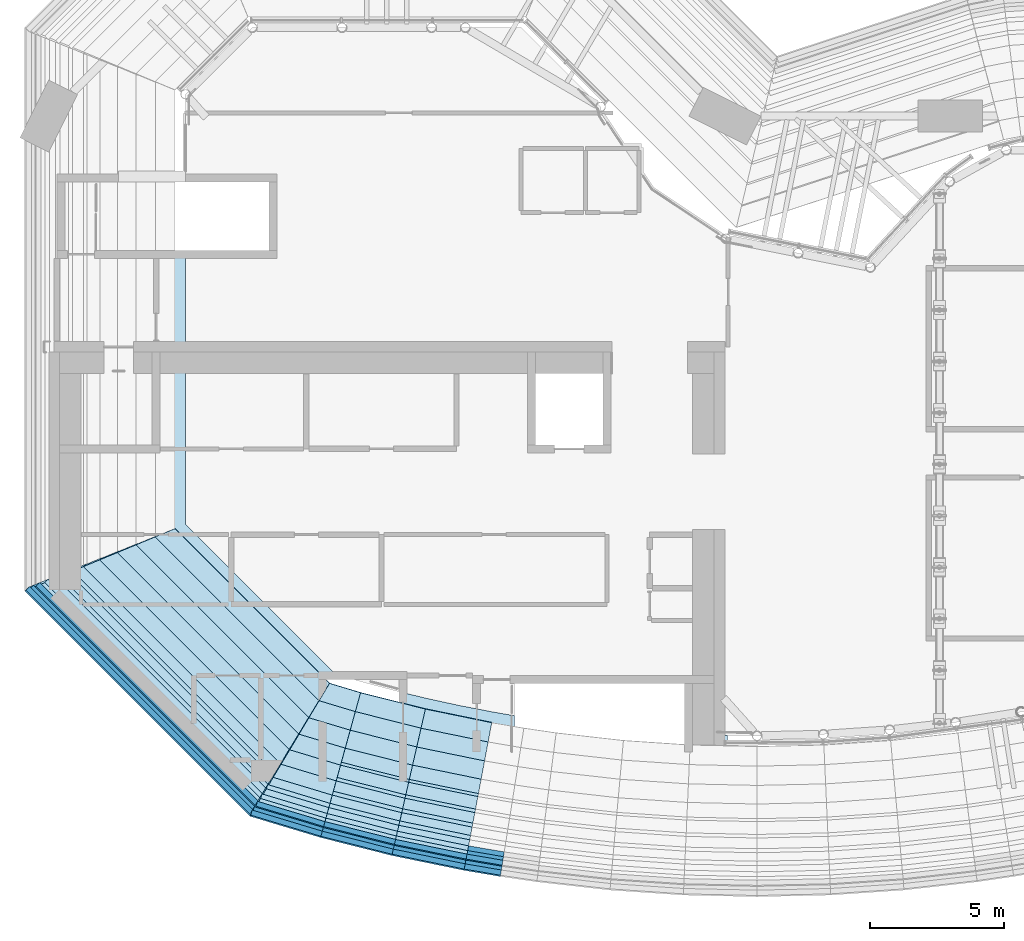
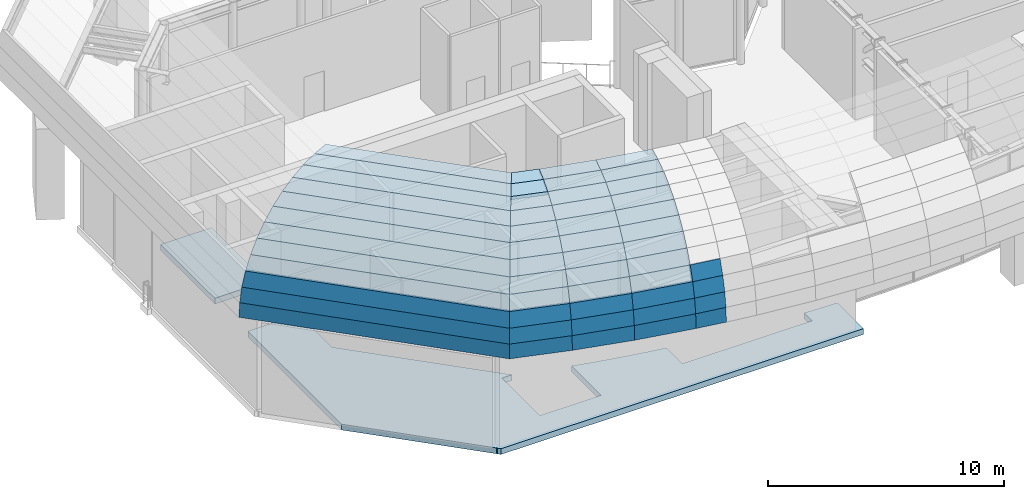
# One storey, part 8 of 20: 52 plates, 1 slab.
"""IFC4 building model written with IfcOpenShell, lengths in metres."""

import ifcopenshell
import ifcopenshell.guid

model = None  # the IFC model being written
_history = None  # IfcOwnerHistory: only IFC2X3 demands one
_inside = {}  # id of a spatial element -> (the spatial element, [elements in it])
_under = {}  # id of a project, library or spatial element -> (it, [spatial elements below it])
_declared = {}  # id of a project -> (the project, [libraries it declares])
_typed = {}  # id of a type object -> (the type object, [elements of that type])
_made_of = {}  # id of a material, layer set ... -> (it, [elements and type objects made of it])


def new_model(schema):
    """Start an empty IFC model of exactly this schema.

    Asked for "IFC4X3", IfcOpenShell would pick the latest addendum, in which some entities
    have other attributes; the version numbers below select the first issue.
    IFC2X3 requires an IfcOwnerHistory on every rooted entity: one is made here for all.
    """
    global model, _history
    if schema == "IFC4X3":
        model = ifcopenshell.file(schema_version=(4, 3, 0, 0))
    else:
        model = ifcopenshell.file(schema=schema)
    _inside.clear()
    _under.clear()
    _declared.clear()
    _typed.clear()
    _made_of.clear()
    _history = None
    if model.schema == "IFC2X3":
        org = make("IfcOrganization", Name="unknown")
        user = make(
            "IfcPersonAndOrganization",
            ThePerson=make("IfcPerson", FamilyName="unknown"),
            TheOrganization=org,
        )
        app = make(
            "IfcApplication",
            ApplicationDeveloper=org,
            Version="unknown",
            ApplicationFullName="unknown",
            ApplicationIdentifier="unknown",
        )
        _history = make(
            "IfcOwnerHistory",
            OwningUser=user,
            OwningApplication=app,
            ChangeAction="ADDED",
            CreationDate=0,
        )
    return model


def make(cls, **values):
    """One entity of the class cls with the attributes given. An attribute that is None is left unset."""
    return model.create_entity(
        cls, **{name: value for name, value in values.items() if value is not None}
    )


def rooted(cls, **values):
    """An entity with a GlobalId (a new one), such as an element, a storey or a relation."""
    return make(cls, GlobalId=ifcopenshell.guid.new(), OwnerHistory=_history, **values)


def si_unit(unit_type, name, prefix=None):
    """IfcSIUnit, for example si_unit("LENGTHUNIT", "METRE", prefix="MILLI")."""
    return make("IfcSIUnit", UnitType=unit_type, Prefix=prefix, Name=name)


def assignment(units):
    """IfcUnitAssignment: the units of a project."""
    return None if units is None else make("IfcUnitAssignment", Units=units)


def point(xyz):
    """IfcCartesianPoint."""
    return None if xyz is None else make("IfcCartesianPoint", Coordinates=xyz)


def direction(xyz):
    """IfcDirection."""
    return None if xyz is None else make("IfcDirection", DirectionRatios=xyz)


def frame(location, z_axis=None, x_axis=None):
    """IfcAxis2Placement3D, a coordinate frame: its origin and axes. An axis left out is left unset."""
    return make(
        "IfcAxis2Placement3D",
        Location=point(location),
        Axis=direction(z_axis),
        RefDirection=direction(x_axis),
    )


def origin():
    """The frame at (0, 0, 0) with its axes left unset."""
    return frame((0.0, 0.0, 0.0))


def place(relative_to, where):
    """IfcLocalPlacement: puts the frame where relative to a parent placement (None: the world)."""
    return make(
        "IfcLocalPlacement", PlacementRelTo=relative_to, RelativePlacement=where
    )


def context(
    kind, dimensions, precision=None, world=None, true_north=None, identifier=None
):
    """IfcGeometricRepresentationContext, for example the 3D "Model" context."""
    return make(
        "IfcGeometricRepresentationContext",
        ContextIdentifier=identifier,
        ContextType=kind,
        CoordinateSpaceDimension=dimensions,
        Precision=precision,
        WorldCoordinateSystem=world,
        TrueNorth=true_north,
    )


def subcontext(parent, identifier, kind, view, scale=None):
    """IfcGeometricRepresentationSubContext, for example "Body" below "Model"."""
    return make(
        "IfcGeometricRepresentationSubContext",
        ContextIdentifier=identifier,
        ContextType=kind,
        ParentContext=parent,
        TargetScale=scale,
        TargetView=view,
    )


def project(units=None, contexts=None):
    """IfcProject with its units and contexts."""
    return rooted(
        "IfcProject",
        Name="project",
        RepresentationContexts=contexts,
        UnitsInContext=assignment(units),
    )


def spatial(cls, under=None, at=None, **own):
    """A site, building, storey or space (cls), placed at a placement, below another one or the project."""
    s = rooted(cls, ObjectPlacement=at, **own)
    if under is not None:
        _under.setdefault(under.id(), (under, []))[1].append(s)
    return s


def polyline(points):
    """IfcPolyline through the points."""
    return make("IfcPolyline", Points=[point(p) for p in points])


def outline(outer, holes=None, kind="AREA"):
    """IfcArbitraryClosedProfileDef: a profile drawn as a closed curve; with holes, ...WithVoids."""
    if holes is None:
        return make("IfcArbitraryClosedProfileDef", ProfileType=kind, OuterCurve=outer)
    return make(
        "IfcArbitraryProfileDefWithVoids",
        ProfileType=kind,
        OuterCurve=outer,
        InnerCurves=holes,
    )


def extrude(swept, where, along, depth):
    """IfcExtrudedAreaSolid: the profile swept, set in the frame where, extruded along a direction by depth."""
    return make(
        "IfcExtrudedAreaSolid",
        SweptArea=swept,
        Position=where,
        ExtrudedDirection=direction(along),
        Depth=depth,
    )


def shape(context_of_items, identifier, shape_type, items):
    """IfcShapeRepresentation: the items that make up one representation, for example the "Body"."""
    return make(
        "IfcShapeRepresentation",
        ContextOfItems=context_of_items,
        RepresentationIdentifier=identifier,
        RepresentationType=shape_type,
        Items=items,
    )


def material(Name=None, Category=None):
    """IfcMaterial."""
    return make("IfcMaterial", Name=Name, Category=Category)


def layer(
    of_material, thickness, ventilated=None, Name=None, Category=None, Priority=None
):
    """IfcMaterialLayer: one layer of a wall or slab, of a material (None: an air gap)."""
    return make(
        "IfcMaterialLayer",
        Material=of_material,
        LayerThickness=thickness,
        IsVentilated=ventilated,
        Name=Name,
        Category=Category,
        Priority=Priority,
    )


def layer_set(layers, Name=None):
    """IfcMaterialLayerSet."""
    return make("IfcMaterialLayerSet", MaterialLayers=layers, LayerSetName=Name)


def made_of(thing, what):
    """Note that an element or type object is made of a material, layer set ...; save() writes the relation."""
    if what is not None:
        _made_of.setdefault(what.id(), (what, []))[1].append(thing)
    return thing


def type_object(cls, material=None, **own):
    """A type object (cls), such as IfcWallType, which elements share."""
    return made_of(rooted(cls, **own), material)


def element(
    cls,
    number,
    at=None,
    inside=None,
    cuts=None,
    type_object=None,
    material=None,
    context=None,
    identifier="Body",
    shape_type=None,
    held_by="IfcProductDefinitionShape",
    body=None,
    shapes=None,
    **own,
):
    """One element of the class cls, such as IfcWall. Its Tag is "e" and its number.

    at: its placement. inside: the storey or other place that contains it. cuts: it is an
    opening in that element (IfcRelVoidsElement). A single representation is given by context,
    identifier, shape_type and body (its items); several are given by shapes. held_by: the class
    of the entity that holds the representations. save() writes the other relations.
    """
    e = rooted(cls, Tag="e%d" % number, ObjectPlacement=at, **own)
    if body is not None:
        shapes = [shape(context, identifier, shape_type, body)]
    if shapes is not None:
        e.Representation = make(held_by, Representations=shapes)
    if inside is not None:
        _inside.setdefault(inside.id(), (inside, []))[1].append(e)
    if cuts is not None:
        rooted(
            "IfcRelVoidsElement", RelatingBuildingElement=cuts, RelatedOpeningElement=e
        )
    if type_object is not None:
        _typed.setdefault(type_object.id(), (type_object, []))[1].append(e)
    return made_of(e, material)


def aggregate(whole, parts):
    """IfcRelAggregates: a whole, such as a stair, and the parts it consists of."""
    return rooted("IfcRelAggregates", RelatingObject=whole, RelatedObjects=parts)


def save(model, path):
    """Write the relations noted so far, then the file.

    IfcRelAggregates (storeys below a building ...), IfcRelContainedInSpatialStructure (elements
    in a storey), IfcRelDefinesByType, IfcRelAssociatesMaterial and IfcRelDeclares: one each for
    every whole, place, type object, material and project.
    """
    for whole, parts in _under.values():
        aggregate(whole, parts)
    for where, things in _inside.values():
        rooted(
            "IfcRelContainedInSpatialStructure",
            RelatedElements=things,
            RelatingStructure=where,
        )
    for kind, things in _typed.values():
        rooted("IfcRelDefinesByType", RelatedObjects=things, RelatingType=kind)
    for what, things in _made_of.values():
        rooted("IfcRelAssociatesMaterial", RelatedObjects=things, RelatingMaterial=what)
    for by, libraries in _declared.values():
        rooted("IfcRelDeclares", RelatingContext=by, RelatedDefinitions=libraries)
    model.write(path)


model = new_model("IFC4")

# Units and contexts
model_context = context("Model", 3, precision=1e-05, world=origin(), true_north=direction((0.0, 1.0)))
body_context = subcontext(model_context, "Body", "Model", "MODEL_VIEW")
ifc_project = project(units=[si_unit("LENGTHUNIT", "METRE"), si_unit("AREAUNIT", "SQUARE_METRE"), si_unit("VOLUMEUNIT", "CUBIC_METRE"), si_unit("PLANEANGLEUNIT", "RADIAN"), si_unit("MASSUNIT", "GRAM", prefix="KILO")], contexts=[model_context])

# Site, building, storey
site_placement = place(None, origin())
site = spatial("IfcSite", under=ifc_project, at=site_placement, CompositionType="ELEMENT")
building_placement = place(site_placement, origin())
building = spatial("IfcBuilding", under=site, at=building_placement, Name="Brevane Broadcast Tower", CompositionType="ELEMENT")
storey_placement = place(building_placement, frame((0.0, 0.0, 264.199951171875)))
storey = spatial("IfcBuildingStorey", under=building, at=storey_placement, Name="L66", CompositionType="ELEMENT", Elevation=264.199951171875)

# Plates
ifc_material_1 = material(Name="Aluminium bronze anodised", Category="aluminium")
ifc_layer_1 = layer(ifc_material_1, 0.199951171875)
ifc_layer_set_1 = layer_set([ifc_layer_1], Name="Canopy shoulder plate 200")
plate_type = type_object("IfcPlateType", Name="Canopy shoulder plate 200", PredefinedType="SHEET", material=ifc_layer_set_1)
plate_1_placement = place(storey_placement, frame((10.12841796875, -1.691162109375, 5.150146484375), z_axis=(-0.244330736725, -0.967468037097, 0.065636028874), x_axis=(0.969558764589, -0.244858738884, 5.7531e-08)))
element("IfcPlate", 1, at=plate_1_placement, inside=storey, type_object=plate_type, Name="Canopy shoulder", PredefinedType="SHEET", context=body_context, shape_type="SweptSolid", body=[
    extrude(outline(polyline([(0.0, 0.0), (2.744935595931826, 6.938893903907228e-18), (2.7438730666409077, 0.7325364924540045), (0.0009507001022665163, 0.7325368088589164), (0.0, 0.0)])), origin(), (0.0, 0.0, -1.0), 0.199951171875),
])
plate_2_placement = place(storey_placement, frame((10.14111328125, -1.644775390625, 5.881103515625), z_axis=(-0.240136254389, -0.950930827208, 0.195102898987), x_axis=(0.96956296201, -0.244842117874, -3.585767e-06)))
element("IfcPlate", 2, at=plate_2_placement, inside=storey, type_object=plate_type, Name="Canopy shoulder", PredefinedType="SHEET", context=body_context, shape_type="SweptSolid", body=[
    extrude(outline(polyline([(0.0, 0.0), (2.74292236607646, 0.0), (2.7395600092473136, 0.7323451816737985), (0.003210526920215361, 0.7323251493134585), (0.0, 0.0)])), origin(), (0.0, 0.0, -1.0), 0.199951171875),
])
plate_3_placement = place(storey_placement, frame((10.17919921875, -1.507080078125, 6.599365234375), z_axis=(-0.231863194385, -0.918098676417, 0.321456496981), x_axis=(0.969559573763, -0.244855534544, 1.1316434e-05)))
element("IfcPlate", 3, at=plate_3_placement, inside=storey, type_object=plate_type, Name="Canopy shoulder", PredefinedType="SHEET", context=body_context, shape_type="SweptSolid", body=[
    extrude(outline(polyline([(0.0, 0.0), (2.736349481169221, 2.7755575615628914e-17), (2.73105730731069, 0.7324477519469437), (0.0054840998273188515, 0.7325130258897457), (0.0, 0.0)])), origin(), (0.0, 0.0, -1.0), 0.199951171875),
])
plate_4_placement = place(storey_placement, frame((10.2421875, -1.280029296875, 7.29296875), z_axis=(-0.219625666157, -0.869601642766, 0.442218893381), x_axis=(0.969554661344, -0.244874985569, -1.0405139e-05)))
element("IfcPlate", 4, at=plate_4_placement, inside=storey, type_object=plate_type, Name="Canopy shoulder", PredefinedType="SHEET", context=body_context, shape_type="SweptSolid", body=[
    extrude(outline(polyline([(0.0, 0.0), (2.7255732092127785, 0.0), (2.7182714387546296, 0.7325292255083685), (0.007087326338764268, 0.7324661529655493), (0.0, 0.0)])), origin(), (0.0, 0.0, -1.0), 0.199951171875),
])
plate_5_placement = place(storey_placement, frame((10.328369140625, -0.9677734375, 7.949951171875), z_axis=(-0.203606390763, -0.806198662761, 0.555507114088), x_axis=(0.969559151368, -0.244857207208, 8.796328e-06)))
element("IfcPlate", 5, at=plate_5_placement, inside=storey, type_object=plate_type, Name="Canopy shoulder", PredefinedType="SHEET", context=body_context, shape_type="SweptSolid", body=[
    extrude(outline(polyline([(0.0, 0.0), (2.711184113568105, 0.0), (2.702103300441899, 0.7325297161927544), (0.009274960257482543, 0.7325868837136578), (0.0, 0.0)])), origin(), (0.0, 0.0, -1.0), 0.199951171875),
])
plate_6_placement = place(storey_placement, frame((10.43701171875, -0.575439453125, 8.55908203125), z_axis=(-0.184119351746, -0.72898258579, 0.659306039657), x_axis=(0.969553178028, -0.244880858738, -5.74833e-07)))
element("IfcPlate", 6, at=plate_6_placement, inside=storey, type_object=plate_type, Name="Canopy shoulder", PredefinedType="SHEET", context=body_context, shape_type="SweptSolid", body=[
    extrude(outline(polyline([(0.0, 0.0), (2.6928283411324316, 5.551115123125783e-17), (2.681889981313335, 0.7325459955188789), (0.010970454971098328, 0.7325418947545728), (0.0, 0.0)])), origin(), (0.0, 0.0, -1.0), 0.199951171875),
])
plate_7_placement = place(storey_placement, frame((10.56591796875, -0.10986328125, 9.10986328125), z_axis=(-0.161416819332, -0.639159755078, 0.751943759815), x_axis=(0.969555960126, -0.244869843106, -1.1050957e-05)))
element("IfcPlate", 7, at=plate_7_placement, inside=storey, type_object=plate_type, Name="Canopy shoulder", PredefinedType="SHEET", context=body_context, shape_type="SweptSolid", body=[
    extrude(outline(polyline([(0.0, 0.0), (2.6709195260579737, -5.551115123125783e-17), (2.6586931320828007, 0.7325842933882107), (0.012228848751837565, 0.7324951554207624), (0.0, 0.0)])), origin(), (0.0, 0.0, -1.0), 0.199951171875),
])
plate_8_placement = place(storey_placement, frame((10.712646484375, 0.421142578125, 9.5927734375), z_axis=(-0.13605420395, -0.538729304829, 0.831420465051), x_axis=(0.969562772136, -0.244842869548, 1.0899706e-05)))
element("IfcPlate", 8, at=plate_8_placement, inside=storey, type_object=plate_type, Name="Canopy shoulder", PredefinedType="SHEET", context=body_context, shape_type="SweptSolid", body=[
    extrude(outline(polyline([(0.0, 0.0), (2.6464642848958224, 0.0), (2.6327038386985073, 0.7324003990982466), (0.013654861332141867, 0.7325036892782937), (0.0, 0.0)])), origin(), (0.0, 0.0, -1.0), 0.199951171875),
])
plate_9_placement = place(storey_placement, frame((10.875, 1.00830078125, 9.999755859375), z_axis=(-0.108302970983, -0.428816740395, 0.896876061468), x_axis=(0.969553368745, -0.244880103609, -3.542803e-06)))
element("IfcPlate", 9, at=plate_9_placement, inside=storey, type_object=plate_type, Name="Canopy shoulder", PredefinedType="SHEET", context=body_context, shape_type="SweptSolid", body=[
    extrude(outline(polyline([(0.0, 0.0), (2.6190489796125114, 1.1102230246251565e-16), (2.604195934709895, 0.7325278132698532), (0.014871979662843995, 0.7324860927407483), (0.0, 0.0)])), origin(), (0.0, 0.0, -1.0), 0.199951171875),
])
plate_10_placement = place(storey_placement, frame((11.05029296875, 1.6416015625, 10.32373046875), z_axis=(-0.078756512052, -0.311822703732, 0.946870642298), x_axis=(0.969556971415, -0.244865839106, 4.432816e-06)))
element("IfcPlate", 10, at=plate_10_placement, inside=storey, type_object=plate_type, Name="Canopy shoulder", PredefinedType="SHEET", context=body_context, shape_type="SweptSolid", body=[
    extrude(outline(polyline([(0.0, 0.0), (2.5893239553754555, 0.0), (2.5738027208103347, 0.7325048463689683), (0.015683820480712853, 0.732575793585124), (0.0, 0.0)])), origin(), (0.0, 0.0, -1.0), 0.199951171875),
])
plate_11_placement = place(storey_placement, frame((11.2353515625, 2.310302734375, 10.559326171875), z_axis=(-0.047740014105, -0.189031356104, 0.980809888543), x_axis=(0.969550457586, -0.24489162942, -5.958634e-06)))
element("IfcPlate", 11, at=plate_11_placement, inside=storey, type_object=plate_type, Name="Canopy shoulder", PredefinedType="SHEET", context=body_context, shape_type="SweptSolid", body=[
    extrude(outline(polyline([(0.0, 0.0), (2.5581189012949643, 1.1102230246251565e-16), (2.5418060687605126, 0.7326251522954367), (0.015958623115406894, 0.7324697743929609), (0.0, 0.0)])), origin(), (0.0, 0.0, -1.0), 0.199951171875),
])
plate_12_placement = place(storey_placement, frame((11.4267578125, 3.0029296875, 10.7021484375), z_axis=(-0.015995087861, -0.063341564905, 0.997863719813), x_axis=(0.969565521065, -0.244831983945, 2.45219e-07)))
element("IfcPlate", 12, at=plate_12_placement, inside=storey, type_object=plate_type, Name="Canopy shoulder", PredefinedType="SHEET", context=body_context, shape_type="SweptSolid", body=[
    extrude(outline(polyline([(0.0, 0.0), (2.525847450471889, -1.1102230246251565e-16), (2.509491311555435, 0.7324508744314208), (0.01662543792184288, 0.732469712405992), (0.0, 0.0)])), origin(), (0.0, 0.0, -1.0), 0.199951171875),
])
plate_13_placement = place(storey_placement, frame((12.789794921875, -2.36328125, 5.150146484375), z_axis=(-0.200609043531, -0.977475222283, 0.065560670191), x_axis=(0.979582727689, -0.20104148729, 1.244408e-06)))
element("IfcPlate", 13, at=plate_13_placement, inside=storey, type_object=plate_type, Name="Canopy shoulder", PredefinedType="SHEET", context=body_context, shape_type="SweptSolid", body=[
    extrude(outline(polyline([(0.0, 0.0), (2.744750571610026, 0.0), (2.7441273488648026, 0.7325295916104289), (0.0010999512247753807, 0.7325364353697256), (0.0, 0.0)])), origin(), (0.0, 0.0, -1.0), 0.199951171875),
])
plate_14_placement = place(storey_placement, frame((12.800537109375, -2.31640625, 5.881103515625), z_axis=(-0.197169986268, -0.960728561498, 0.19525528837), x_axis=(0.979582972734, -0.201040293258, -4.048353e-06)))
element("IfcPlate", 14, at=plate_14_placement, inside=storey, type_object=plate_type, Name="Canopy shoulder", PredefinedType="SHEET", context=body_context, shape_type="SweptSolid", body=[
    extrude(outline(polyline([(0.0, 0.0), (2.743027397553722, -2.7755575615628914e-17), (2.7405820464515442, 0.7323691233570816), (0.0030614913945109473, 0.7323465007368655), (0.0, 0.0)])), origin(), (0.0, 0.0, -1.0), 0.199951171875),
])
plate_15_placement = place(storey_placement, frame((12.832275390625, -2.177001953125, 6.599365234375), z_axis=(-0.190337422276, -0.927620001762, 0.321391969427), x_axis=(0.979590605617, -0.201003097882, -5.424071e-06)))
element("IfcPlate", 15, at=plate_15_placement, inside=storey, type_object=plate_type, Name="Canopy shoulder", PredefinedType="SHEET", context=body_context, shape_type="SweptSolid", body=[
    extrude(outline(polyline([(0.0, 0.0), (2.7375205553514266, 0.0), (2.733565667954749, 0.7324791054097237), (0.005286537698750072, 0.7324477975257354), (0.0, 0.0)])), origin(), (0.0, 0.0, -1.0), 0.199951171875),
])
plate_16_placement = place(storey_placement, frame((12.884765625, -1.947509765625, 7.29296875), z_axis=(-0.180290534661, -0.87860460912, 0.442209524937), x_axis=(0.979589818528, -0.201006933462, 1.1654943e-05)))
element("IfcPlate", 16, at=plate_16_placement, inside=storey, type_object=plate_type, Name="Canopy shoulder", PredefinedType="SHEET", context=body_context, shape_type="SweptSolid", body=[
    extrude(outline(polyline([(0.0, 0.0), (2.7282791298792177, -2.7755575615628914e-17), (2.7226488168756484, 0.7324585386486743), (0.007296625448113678, 0.7325292760531609), (0.0, 0.0)])), origin(), (0.0, 0.0, -1.0), 0.199951171875),
])
plate_17_placement = place(storey_placement, frame((12.95703125, -1.631591796875, 7.949951171875), z_axis=(-0.167131013572, -0.814510632765, 0.555553465847), x_axis=(0.979588038889, -0.201015605746, -1.7651604e-05)))
element("IfcPlate", 17, at=plate_17_placement, inside=storey, type_object=plate_type, Name="Canopy shoulder", PredefinedType="SHEET", context=body_context, shape_type="SweptSolid", body=[
    extrude(outline(polyline([(0.0, 0.0), (2.7153521919304215, 0.0), (2.708566180555601, 0.7326430852938101), (0.009207116791526656, 0.7325281357549129), (0.0, 0.0)])), origin(), (0.0, 0.0, -1.0), 0.199951171875),
])
plate_18_placement = place(storey_placement, frame((13.0478515625, -1.23486328125, 8.55908203125), z_axis=(-0.151129761951, -0.736574179604, 0.659255847903), x_axis=(0.979595147258, -0.200980962528, 1.3035642e-05)))
element("IfcPlate", 18, at=plate_18_placement, inside=storey, type_object=plate_type, Name="Canopy shoulder", PredefinedType="SHEET", context=body_context, shape_type="SweptSolid", body=[
    extrude(outline(polyline([(0.0, 0.0), (2.6993590670626073, 0.0), (2.6912718224346555, 0.7324544126531534), (0.010824851473007067, 0.7325476796860875), (0.0, 0.0)])), origin(), (0.0, 0.0, -1.0), 0.199951171875),
])
plate_19_placement = place(storey_placement, frame((13.155517578125, -0.763916015625, 9.10986328125), z_axis=(-0.132512220387, -0.645740851939, 0.751970254455), x_axis=(0.979587299334, -0.201019210479, 1.292427e-06)))
element("IfcPlate", 19, at=plate_19_placement, inside=storey, type_object=plate_type, Name="Canopy shoulder", PredefinedType="SHEET", context=body_context, shape_type="SweptSolid", body=[
    extrude(outline(polyline([(0.0, 0.0), (2.6804469731117413, 1.1102230246251565e-16), (2.6710842446210745, 0.7325680720544981), (0.012566477595765013, 0.7325785396728237), (0.0, 0.0)])), origin(), (0.0, 0.0, -1.0), 0.199951171875),
])
plate_20_placement = place(storey_placement, frame((13.278564453125, -0.226806640625, 9.5927734375), z_axis=(-0.111692856228, -0.544316861077, 0.831410765275), x_axis=(0.979587314725, -0.201019135382, -6.254046e-06)))
element("IfcPlate", 20, at=plate_20_placement, inside=storey, type_object=plate_type, Name="Canopy shoulder", PredefinedType="SHEET", context=body_context, shape_type="SweptSolid", body=[
    extrude(outline(polyline([(0.0, 0.0), (2.658517766974694, 0.0), (2.6481908185668868, 0.7324627174730729), (0.013613668028054849, 0.7324031426239448), (0.0, 0.0)])), origin(), (0.0, 0.0, -1.0), 0.199951171875),
])
plate_21_placement = place(storey_placement, frame((13.414306640625, 0.366943359375, 9.999755859375), z_axis=(-0.088898723696, -0.433249999498, 0.896878729183), x_axis=(0.979591701369, -0.200997757708, 2.423481e-06)))
element("IfcPlate", 21, at=plate_21_placement, inside=storey, type_object=plate_type, Name="Canopy shoulder", PredefinedType="SHEET", context=body_context, shape_type="SweptSolid", body=[
    extrude(outline(polyline([(0.0, 0.0), (2.6345771512786857, 0.0), (2.6236448325290085, 0.7325015362044208), (0.014731474744670276, 0.732530268224455), (0.0, 0.0)])), origin(), (0.0, 0.0, -1.0), 0.199951171875),
])
plate_22_placement = place(storey_placement, frame((13.560791015625, 1.007568359375, 10.32373046875), z_axis=(-0.064640269427, -0.315047566365, 0.94687204336), x_axis=(0.979589883751, -0.201006615853, -6.010458e-06)))
element("IfcPlate", 22, at=plate_22_placement, inside=storey, type_object=plate_type, Name="Canopy shoulder", PredefinedType="SHEET", context=body_context, shape_type="SweptSolid", body=[
    extrude(outline(polyline([(0.0, 0.0), (2.6089133578997035, 0.0), (2.597167220428094, 0.7325982540564212), (0.01568990729822058, 0.7325012528031024), (0.0, 0.0)])), origin(), (0.0, 0.0, -1.0), 0.199951171875),
])
plate_23_placement = place(storey_placement, frame((13.715576171875, 1.683837890625, 10.559326171875), z_axis=(-0.039180709895, -0.19097236006, 0.980813147172), x_axis=(0.979597384563, -0.200970057856, 1.625884e-06)))
element("IfcPlate", 23, at=plate_23_placement, inside=storey, type_object=plate_type, Name="Canopy shoulder", PredefinedType="SHEET", context=body_context, shape_type="SweptSolid", body=[
    extrude(outline(polyline([(0.0, 0.0), (2.581477315001899, -5.551115123125783e-17), (2.5693962489817093, 0.7325876411064337), (0.0160724534588897, 0.7326304653399524), (0.0, 0.0)])), origin(), (0.0, 0.0, -1.0), 0.199951171875),
])
plate_24_placement = place(storey_placement, frame((13.875732421875, 2.384521484375, 10.7021484375), z_axis=(-0.013129636044, -0.063995981999, 0.997863781759), x_axis=(0.979594020851, -0.200986453058, -6.13779e-07)))
element("IfcPlate", 24, at=plate_24_placement, inside=storey, type_object=plate_type, Name="Canopy shoulder", PredefinedType="SHEET", context=body_context, shape_type="SweptSolid", body=[
    extrude(outline(polyline([(0.0, 0.0), (2.5533237958850457, -1.1102230246251565e-16), (2.540929422804181, 0.7324947748516742), (0.016525690711150683, 0.7324470685858776), (0.0, 0.0)])), origin(), (0.0, 0.0, -1.0), 0.199951171875),
])
plate_25_placement = place(storey_placement, frame((15.478515625, -2.9150390625, 5.150146484375), z_axis=(-0.167371631938, -0.983718997473, 0.065449758076), x_axis=(0.985832767102, -0.167731199561, 1.093513e-06)))
element("IfcPlate", 25, at=plate_25_placement, inside=storey, type_object=plate_type, Name="Canopy shoulder", PredefinedType="SHEET", context=body_context, shape_type="SweptSolid", body=[
    extrude(outline(polyline([(0.0, 0.0), (1.3727152219810121, -3.469446951953614e-18), (1.3719921761497293, 0.7325261652689246), (0.0010026769639509857, 0.7325291719915648), (0.0, 0.0)])), origin(), (0.0, 0.0, -1.0), 0.199951171875),
])
plate_26_placement = place(storey_placement, frame((15.487548828125, -2.867919921875, 5.881103515625), z_axis=(-0.164581712573, -0.966851973545, 0.195218137319), x_axis=(0.985819692872, -0.167808024237, 1.2160405e-05)))
element("IfcPlate", 26, at=plate_26_placement, inside=storey, type_object=plate_type, Name="Canopy shoulder", PredefinedType="SHEET", context=body_context, shape_type="SweptSolid", body=[
    extrude(outline(polyline([(0.0, 0.0), (1.3709894967210436, 0.0), (1.36946072466218, 0.7323353084775565), (0.0024040236282509447, 0.7323692574108093), (0.0, 0.0)])), origin(), (0.0, 0.0, -1.0), 0.199951171875),
])
plate_27_placement = place(storey_placement, frame((15.513916015625, -2.727294921875, 6.599365234375), z_axis=(-0.1590178011, -0.933509085027, 0.321362921174), x_axis=(0.985800653365, -0.167919836731, 1.6053737e-05)))
element("IfcPlate", 27, at=plate_27_placement, inside=storey, type_object=plate_type, Name="Canopy shoulder", PredefinedType="SHEET", context=body_context, shape_type="SweptSolid", body=[
    extrude(outline(polyline([(0.0, 0.0), (1.3670567024172273, 0.0), (1.3643813661760773, 0.7324326919817693), (0.003986845640630905, 0.7324789304333259), (0.0, 0.0)])), origin(), (0.0, 0.0, -1.0), 0.199951171875),
])
plate_28_placement = place(storey_placement, frame((15.557373046875, -2.495849609375, 7.29296875), z_axis=(-0.1505902642, -0.884162677206, 0.442243069549), x_axis=(0.98580121384, -0.16791654434, -3.0472269e-05)))
element("IfcPlate", 28, at=plate_28_placement, inside=storey, type_object=plate_type, Name="Canopy shoulder", PredefinedType="SHEET", context=body_context, shape_type="SweptSolid", body=[
    extrude(outline(polyline([(0.0, 0.0), (1.3603945198059526, 1.3877787807814457e-17), (1.3566899450924053, 0.732553520240652), (0.005246660518049009, 0.7324613847851363), (0.0, 0.0)])), origin(), (0.0, 0.0, -1.0), 0.199951171875),
])
plate_29_placement = place(storey_placement, frame((-0.89990234375, 7.5, 5.150146484375), z_axis=(-0.705598474501, -0.705598474501, 0.065280820787), x_axis=(0.707106781187, -0.707106781187, 0.0)))
element("IfcPlate", 29, at=plate_29_placement, inside=storey, type_object=plate_type, Name="Canopy shoulder", PredefinedType="SHEET", context=body_context, shape_type="SweptSolid", body=[
    extrude(outline(polyline([(0.0, 0.0), (11.879255817140798, 0.0), (11.867344106227256, 0.7325195450827908), (0.019852851522571525, 0.7325195450827908), (0.0, 0.0)])), origin(), (0.0, 0.0, -1.0), 0.199951171875),
])
plate_30_placement = place(storey_placement, frame((-0.85205078125, 7.519775390625, 5.881103515625), z_axis=(-0.693507099673, -0.693507099673, 0.195181467889), x_axis=(0.707106781187, -0.707106781187, 0.0)))
element("IfcPlate", 30, at=plate_30_placement, inside=storey, type_object=plate_type, Name="Canopy shoulder", PredefinedType="SHEET", context=body_context, shape_type="SweptSolid", body=[
    extrude(outline(polyline([(0.0, 0.0), (11.847491254704684, 0.0), (11.811583488472554, 0.7323468386041889), (0.05904065409321271, 0.7323468386041889), (0.0, 0.0)])), origin(), (0.0, 0.0, -1.0), 0.199951171875),
])
plate_31_placement = place(storey_placement, frame((-0.709228515625, 7.5791015625, 6.599365234375), z_axis=(-0.669573247672, -0.669573247672, 0.3214705772), x_axis=(0.707106781187, -0.707106781187, 0.0)))
element("IfcPlate", 31, at=plate_31_placement, inside=storey, type_object=plate_type, Name="Canopy shoulder", PredefinedType="SHEET", context=body_context, shape_type="SweptSolid", body=[
    extrude(outline(polyline([(0.0, 0.0), (11.752542834379343, 0.0), (11.693156913303127, 0.7324840875270788), (0.09771055618935204, 0.7324840875270788), (0.0, 0.0)])), origin(), (0.0, 0.0, -1.0), 0.199951171875),
])
plate_32_placement = place(storey_placement, frame((-0.4736328125, 7.676513671875, 7.29296875), z_axis=(-0.634205235519, -0.634195704904, 0.442243741755), x_axis=(0.707102507191, -0.70711105515, 2.980352e-06)))
element("IfcPlate", 32, at=plate_32_placement, inside=storey, type_object=plate_type, Name="Canopy shoulder", PredefinedType="SHEET", context=body_context, shape_type="SweptSolid", body=[
    extrude(outline(polyline([(0.0, 0.0), (11.595446356850463, 0.0), (11.513963349386941, 0.7324694360772717), (0.13413622237240683, 0.732545782158507), (0.0, 0.0)])), origin(), (0.0, 0.0, -1.0), 0.199951171875),
])
plate_33_placement = place(storey_placement, frame((-0.149658203125, 7.810791015625, 7.949951171875), z_axis=(-0.587953246346, -0.58794421952, 0.555547095073), x_axis=(0.70709971764, -0.707113844654, -3.461508e-06)))
element("IfcPlate", 33, at=plate_33_placement, inside=storey, type_object=plate_type, Name="Canopy shoulder", PredefinedType="SHEET", context=body_context, shape_type="SweptSolid", body=[
    extrude(outline(polyline([(0.0, 0.0), (11.379827127318034, -4.440892098500626e-16), (11.27727665851566, 0.7326287821551823), (0.16865674805443576, 0.7325351617798543), (0.0, 0.0)])), origin(), (0.0, 0.0, -1.0), 0.199951171875),
])
plate_34_placement = place(storey_placement, frame((0.25732421875, 7.979248046875, 8.55908203125), z_axis=(-0.531628003779, -0.531628003779, 0.659350689084), x_axis=(0.707106781187, -0.707106781187, 0.0)))
element("IfcPlate", 34, at=plate_34_placement, inside=storey, type_object=plate_type, Name="Canopy shoulder", PredefinedType="SHEET", context=body_context, shape_type="SweptSolid", body=[
    extrude(outline(polyline([(0.0, 0.0), (11.108619911082021, 0.0), (10.987085933065584, 0.7325820951058257), (0.19990958315772026, 0.7325820951058257), (0.0, 0.0)])), origin(), (0.0, 0.0, -1.0), 0.199951171875),
])
plate_35_placement = place(storey_placement, frame((0.740234375, 8.179443359375, 9.10986328125), z_axis=(-0.466205240512, -0.466205240512, 0.751867905578), x_axis=(0.707106781187, -0.707106781187, 0.0)))
element("IfcPlate", 35, at=plate_35_placement, inside=storey, type_object=plate_type, Name="Canopy shoulder", PredefinedType="SHEET", context=body_context, shape_type="SweptSolid", body=[
    extrude(outline(polyline([(0.0, 0.0), (10.787176349907865, 0.0), (10.648724289724365, 0.732443603193328), (0.22822147576382226, 0.7324436031933284), (0.0, 0.0)])), origin(), (0.0, 0.0, -1.0), 0.199951171875),
])
plate_36_placement = place(storey_placement, frame((1.291015625, 8.407470703125, 9.5927734375), z_axis=(-0.392865886395, -0.392865886395, 0.831452217878), x_axis=(0.707106781187, -0.707106781187, 0.0)))
element("IfcPlate", 36, at=plate_36_placement, inside=storey, type_object=plate_type, Name="Canopy shoulder", PredefinedType="SHEET", context=body_context, shape_type="SweptSolid", body=[
    extrude(outline(polyline([(0.0, 0.0), (10.420502813960542, 0.0), (10.267204273507991, 0.7325146832475433), (0.2520448975909081, 0.7325146832475431), (0.0, 0.0)])), origin(), (0.0, 0.0, -1.0), 0.199951171875),
])
plate_37_placement = place(storey_placement, frame((1.89990234375, 8.659912109375, 9.999755859375), z_axis=(-0.312742284679, -0.312747795945, 0.896872945018), x_axis=(0.707107999965, -0.707105562397, -3.495162e-06)))
element("IfcPlate", 37, at=plate_37_placement, inside=storey, type_object=plate_type, Name="Canopy shoulder", PredefinedType="SHEET", context=body_context, shape_type="SweptSolid", body=[
    extrude(outline(polyline([(0.0, 0.0), (10.015159375841032, 8.881784197001252e-16), (9.849776491134282, 0.7325743239488225), (0.2722430159464475, 0.7324194936408894), (0.0, 0.0)])), origin(), (0.0, 0.0, -1.0), 0.199951171875),
])
plate_38_placement = place(storey_placement, frame((2.556884765625, 8.931884765625, 10.32373046875), z_axis=(-0.227433321592, -0.227437522352, 0.946861266319), x_axis=(0.707118883569, -0.707094678592, 2.676932e-06)))
element("IfcPlate", 38, at=plate_38_placement, inside=storey, type_object=plate_type, Name="Canopy shoulder", PredefinedType="SHEET", context=body_context, shape_type="SweptSolid", body=[
    extrude(outline(polyline([(0.0, 0.0), (9.577533476480575, 8.881784197001252e-16), (9.40301351633942, 0.732399197562621), (0.2872746325084252, 0.7325547760709373), (0.0, 0.0)])), origin(), (0.0, 0.0, -1.0), 0.199951171875),
])
plate_39_placement = place(storey_placement, frame((3.25048828125, 9.21923828125, 10.559326171875), z_axis=(-0.137843024383, -0.137845705215, 0.980814897003), x_axis=(0.707107042488, -0.707106519883, -1.859267e-06)))
element("IfcPlate", 39, at=plate_39_placement, inside=storey, type_object=plate_type, Name="Canopy shoulder", PredefinedType="SHEET", context=body_context, shape_type="SweptSolid", body=[
    extrude(outline(polyline([(0.0, 0.0), (9.115738885182463, 8.881784197001252e-16), (8.934991619613745, 0.7327273734286028), (0.2976201393148501, 0.7325580519284164), (0.0, 0.0)])), origin(), (0.0, 0.0, -1.0), 0.199951171875),
])
plate_40_placement = place(storey_placement, frame((3.968994140625, 9.516845703125, 10.7021484375), z_axis=(-0.04619803516, -0.046198985287, 0.997863415156), x_axis=(0.707120884564, -0.707092677527, 6.32633e-07)))
element("IfcPlate", 40, at=plate_40_placement, inside=storey, type_object=plate_type, Name="Canopy shoulder", PredefinedType="SHEET", context=body_context, shape_type="SweptSolid", body=[
    extrude(outline(polyline([(0.0, 0.0), (8.637371481974078, 0.0), (8.453531419077823, 0.7323262714132845), (0.30281375299034247, 0.7324888301838213), (0.0, 0.0)])), origin(), (0.0, 0.0, -1.0), 0.199951171875),
])
plate_41_placement = place(storey_placement, frame((7.5, -0.89990234375, 5.150146484375), z_axis=(-0.287589308149, -0.955517144477, 0.065416943139), x_axis=(0.957568167799, -0.288206877093, -3.75034e-06)))
element("IfcPlate", 41, at=plate_41_placement, inside=storey, type_object=plate_type, Name="Canopy shoulder", PredefinedType="SHEET", context=body_context, shape_type="SweptSolid", body=[
    extrude(outline(polyline([(0.0, 0.0), (2.7449358845664413, 6.938893903907228e-18), (2.7437207990094934, 0.7325364011245522), (0.012137712694062096, 0.7325158182261234), (0.0, 0.0)])), origin(), (0.0, 0.0, -1.0), 0.199951171875),
])
plate_42_placement = place(storey_placement, frame((7.525390625, -0.857666015625, 5.881103515625), z_axis=(-0.282628527934, -0.939181396949, 0.195088233432), x_axis=(0.957580803799, -0.288164890624, 2.811175e-06)))
element("IfcPlate", 42, at=plate_42_placement, inside=storey, type_object=plate_type, Name="Canopy shoulder", PredefinedType="SHEET", context=body_context, shape_type="SweptSolid", body=[
    extrude(outline(polyline([(0.0, 0.0), (2.7315830906423333, 2.7755575615628914e-17), (2.728376517779983, 0.7323251673147556), (0.036032447829471556, 0.7323407136322705), (0.0, 0.0)])), origin(), (0.0, 0.0, -1.0), 0.199951171875),
])
plate_43_placement = place(storey_placement, frame((7.60107421875, -0.731201171875, 6.599365234375), z_axis=(-0.272867073767, -0.906718168053, 0.321567603742), x_axis=(0.957578179121, -0.28817361237, -2.158951e-06)))
element("IfcPlate", 43, at=plate_43_placement, inside=storey, type_object=plate_type, Name="Canopy shoulder", PredefinedType="SHEET", context=body_context, shape_type="SweptSolid", body=[
    extrude(outline(polyline([(0.0, 0.0), (2.692344070222444, 5.551115123125783e-17), (2.6872287326073954, 0.732515699983808), (0.05914513496274637, 0.7325035691284693), (0.0, 0.0)])), origin(), (0.0, 0.0, -1.0), 0.199951171875),
])
plate_44_placement = place(storey_placement, frame((7.7255859375, -0.522705078125, 7.29296875), z_axis=(-0.258471034677, -0.858900222955, 0.44213474331), x_axis=(0.957580221082, -0.288166827017, 4.49085e-07)))
element("IfcPlate", 44, at=plate_44_placement, inside=storey, type_object=plate_type, Name="Canopy shoulder", PredefinedType="SHEET", context=body_context, shape_type="SweptSolid", body=[
    extrude(outline(polyline([(0.0, 0.0), (2.6280835977334536, 5.551115123125783e-17), (2.6206279470435874, 0.7324624992538812), (0.08152213592982993, 0.7324650863661633), (0.0, 0.0)])), origin(), (0.0, 0.0, -1.0), 0.199951171875),
])
plate_45_placement = place(storey_placement, frame((7.89697265625, -0.236083984375, 7.949951171875), z_axis=(-0.23961289416, -0.796162168027, 0.555618091098), x_axis=(0.957575055296, -0.288183992185, 1.1047816e-05)))
element("IfcPlate", 45, at=plate_45_placement, inside=storey, type_object=plate_type, Name="Canopy shoulder", PredefinedType="SHEET", context=body_context, shape_type="SweptSolid", body=[
    extrude(outline(polyline([(0.0, 0.0), (2.5391058106145397, 1.1102230246251565e-16), (2.530081589048666, 0.7325900148079505), (0.1023557594255433, 0.7326560121126668), (0.0, 0.0)])), origin(), (0.0, 0.0, -1.0), 0.199951171875),
])
plate_46_placement = place(storey_placement, frame((8.1123046875, 0.124267578125, 8.55908203125), z_axis=(-0.216703824183, -0.719949487623, 0.659327071988), x_axis=(0.957564006652, -0.288220702131, 5.210343e-06)))
element("IfcPlate", 46, at=plate_46_placement, inside=storey, type_object=plate_type, Name="Canopy shoulder", PredefinedType="SHEET", context=body_context, shape_type="SweptSolid", body=[
    extrude(outline(polyline([(0.0, 0.0), (2.4277258309693477, 0.0), (2.4169759948077267, 0.7325451652374981), (0.12155928224291228, 0.7325778964824557), (0.0, 0.0)])), origin(), (0.0, 0.0, -1.0), 0.199951171875),
])
plate_47_placement = place(storey_placement, frame((8.367919921875, 0.5517578125, 9.10986328125), z_axis=(-0.190020928342, -0.631336467318, 0.751868546906), x_axis=(0.957562788359, -0.288224749422, -1.3067583e-05)))
element("IfcPlate", 47, at=plate_47_placement, inside=storey, type_object=plate_type, Name="Canopy shoulder", PredefinedType="SHEET", context=body_context, shape_type="SweptSolid", body=[
    extrude(outline(polyline([(0.0, 0.0), (2.2954167125316647, 0.0), (2.2828631378566064, 0.7324896621583069), (0.13867371137069964, 0.7324016691754409), (0.0, 0.0)])), origin(), (0.0, 0.0, -1.0), 0.199951171875),
])
plate_48_placement = place(storey_placement, frame((8.659423828125, 1.0390625, 9.5927734375), z_axis=(-0.160117428908, -0.532024303863, 0.831452072617), x_axis=(0.957574595423, -0.288185520437, 3.224855e-06)))
element("IfcPlate", 48, at=plate_48_placement, inside=storey, type_object=plate_type, Name="Canopy shoulder", PredefinedType="SHEET", context=body_context, shape_type="SweptSolid", body=[
    extrude(outline(polyline([(0.0, 0.0), (2.1441894286464405, 0.0), (2.130445850799582, 0.7325020308823866), (0.1532446808270514, 0.7325259527192081), (0.0, 0.0)])), origin(), (0.0, 0.0, -1.0), 0.199951171875),
])
plate_49_placement = place(storey_placement, frame((8.981689453125, 1.578125, 9.999755859375), z_axis=(-0.127470898405, -0.423491736981, 0.896886792616), x_axis=(0.957569337154, -0.288202991659, 1.1861197e-05)))
element("IfcPlate", 49, at=plate_49_placement, inside=storey, type_object=plate_type, Name="Canopy shoulder", PredefinedType="SHEET", context=body_context, shape_type="SweptSolid", body=[
    extrude(outline(polyline([(0.0, 0.0), (1.9772011699618304, -5.551115123125783e-17), (1.9625410048057617, 0.7324903622701129), (0.16530638422445842, 0.7325915907497282), (0.0, 0.0)])), origin(), (0.0, 0.0, -1.0), 0.199951171875),
])
plate_50_placement = place(storey_placement, frame((9.329345703125, 2.15966796875, 10.32373046875), z_axis=(-0.09269828167, -0.30798710006, 0.946863757239), x_axis=(0.95755441369, -0.288252570831, -1.5234103e-05)))
element("IfcPlate", 50, at=plate_50_placement, inside=storey, type_object=plate_type, Name="Canopy shoulder", PredefinedType="SHEET", context=body_context, shape_type="SweptSolid", body=[
    extrude(outline(polyline([(0.0, 0.0), (1.7972346233897327, 0.0), (1.781679875626679, 0.7325785450752685), (0.17444399897426047, 0.7324172937588017), (0.0, 0.0)])), origin(), (0.0, 0.0, -1.0), 0.199951171875),
])
plate_51_placement = place(storey_placement, frame((9.6962890625, 2.7734375, 10.559326171875), z_axis=(-0.056192065543, -0.186686385076, 0.980811218022), x_axis=(0.957582685962, -0.288158635759, 1.3514338e-05)))
element("IfcPlate", 51, at=plate_51_placement, inside=storey, type_object=plate_type, Name="Canopy shoulder", PredefinedType="SHEET", context=body_context, shape_type="SweptSolid", body=[
    extrude(outline(polyline([(0.0, 0.0), (1.6072358848489983, 0.0), (1.590938688079708, 0.7324623192899232), (0.180973751089828, 0.7326714673076845), (0.0, 0.0)])), origin(), (0.0, 0.0, -1.0), 0.199951171875),
])
plate_52_placement = place(storey_placement, frame((10.07666015625, 3.409423828125, 10.7021484375), z_axis=(-0.018832716664, -0.062562613555, 0.997863341429), x_axis=(0.957539940309, -0.288300646373, -3.771595e-06)))
element("IfcPlate", 52, at=plate_52_placement, inside=storey, type_object=plate_type, Name="Canopy shoulder", PredefinedType="SHEET", context=body_context, shape_type="SweptSolid", body=[
    extrude(outline(polyline([(0.0, 0.0), (1.4099649526657747, 1.1102230246251565e-16), (1.3936168100005557, 0.7324759538589594), (0.18384621923245004, 0.7323247259264863), (0.0, 0.0)])), origin(), (0.0, 0.0, -1.0), 0.199951171875),
])

# Slab
ifc_material_2 = material(Name="Concrete C40/50", Category="concrete")
ifc_layer_2 = layer(ifc_material_2, 0.300048828125)
ifc_layer_set_2 = layer_set([ifc_layer_2], Name="Core floor slab 300 mm")
slab_type = type_object("IfcSlabType", Name="Core floor slab 300 mm", PredefinedType="FLOOR", material=ifc_layer_set_2)
slab_placement = place(storey_placement, frame((0.0, 0.0, -0.300048828125)))
element("IfcSlab", 53, at=slab_placement, inside=storey, type_object=slab_type, Name="Core floor slab 1.2", PredefinedType="FLOOR", context=body_context, shape_type="SweptSolid", body=[
    extrude(outline(polyline([(5.10009765625, 20.199951171875), (5.10009765625, 9.9853515625), (10.685302734375, 4.39990234375), (10.199951171875, 4.39990234375), (10.199951171875, 1.199951171875), (13.199951171875, 1.199951171875), (13.199951171875, 3.70947265625), (14.127685546875, 3.486083984375), (15.33740234375, 3.2236328125), (16.55224609375, 2.988525390625), (17.360107421875, 2.85107421875), (17.360107421875, 1.5), (23.699951171875, 1.5), (23.699951171875, 2.168701171875), (23.925537109375, 2.156005859375), (25.16259765625, 2.1142578125), (25.300048828125, 2.11279296875), (25.300048828125, -0.10009765625), (7.548583984375, -0.10009765625), (7.436279296875, 0.01220703125), (7.436279296875, 0.076904296875), (7.404052734375, 0.04443359375), (2.60009765625, 4.848388671875), (2.60009765625, 12.800048828125), (4.0, 12.800048828125), (4.0, 15.60009765625), (2.60009765625, 15.60009765625), (2.60009765625, 20.199951171875), (5.10009765625, 20.199951171875)])), origin(), (0.0, 0.0, 1.0), 0.300048828125),
])

save(model, "model.ifc")
